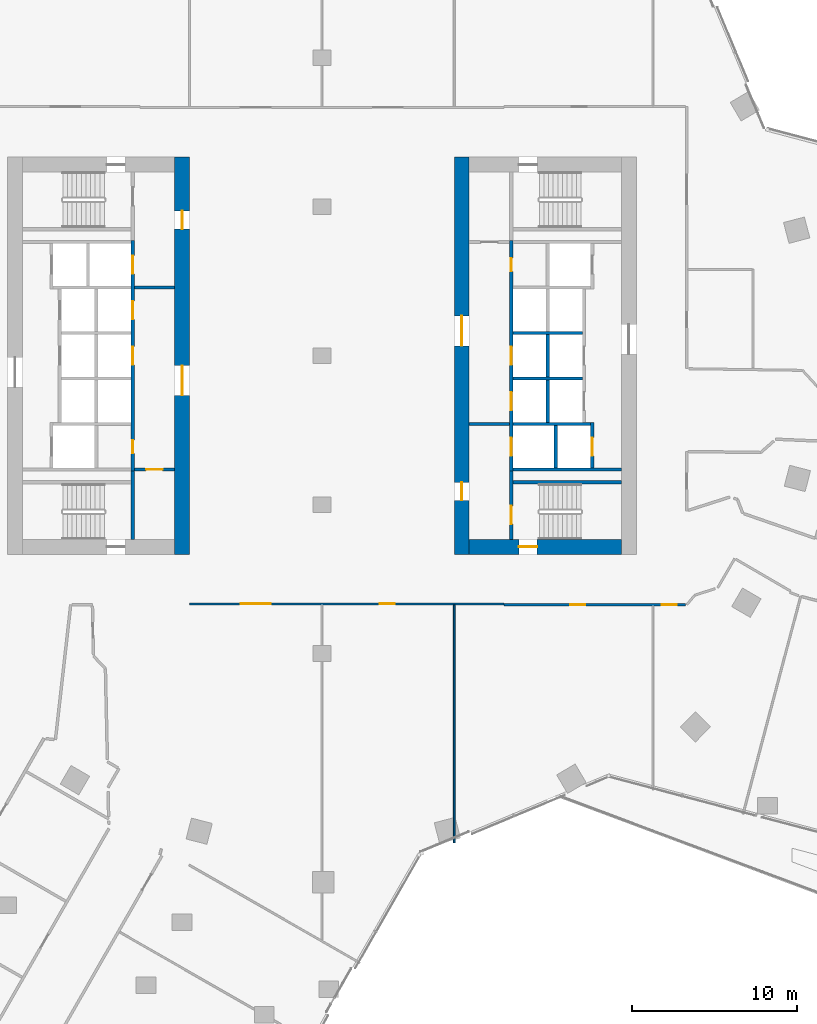
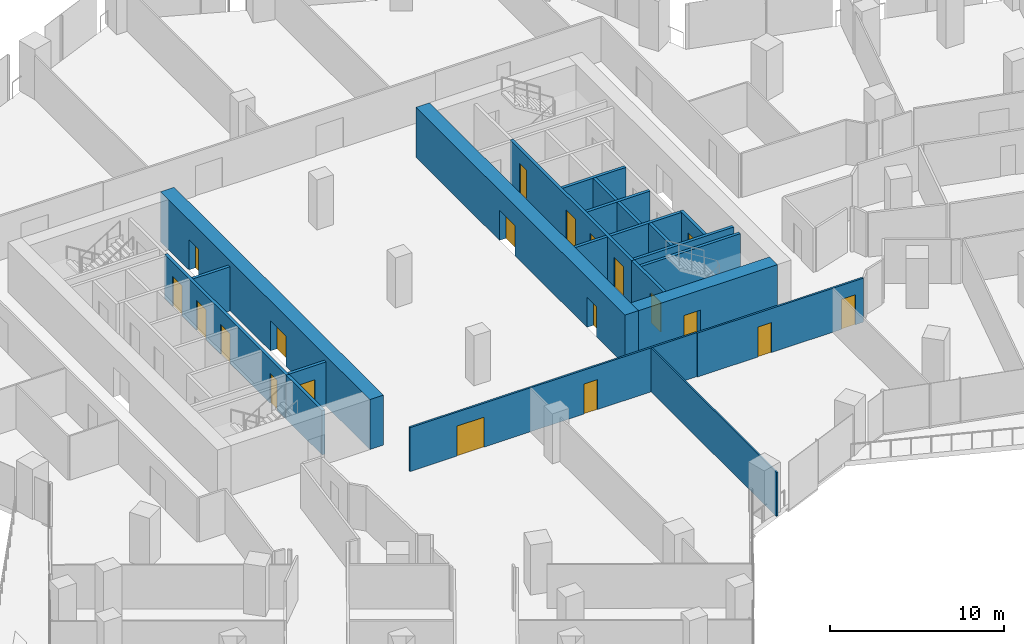
# One storey, part 24 of 34: 22 walls, 20 doors, 20 openings.
"""IFC4 building model written with IfcOpenShell, lengths in metres."""

from ifc_helpers import new_model, si_unit, direction, frame, frame_2d, origin, place, context, subcontext, project, spatial, rectangle, extrude, material, layer, layer_set, type_object, element, fill, save


model = new_model("IFC4")

# Units and contexts
model_context = context("Model", 3, precision=1e-05, world=origin(), true_north=direction((0.0, 1.0)))
body_context = subcontext(model_context, "Body", "Model", "MODEL_VIEW")
ifc_project = project(units=[si_unit("LENGTHUNIT", "METRE"), si_unit("AREAUNIT", "SQUARE_METRE"), si_unit("VOLUMEUNIT", "CUBIC_METRE"), si_unit("PLANEANGLEUNIT", "RADIAN"), si_unit("MASSUNIT", "GRAM", prefix="KILO")], contexts=[model_context])

# Site, building, storey
site_placement = place(None, origin())
site = spatial("IfcSite", under=ifc_project, at=site_placement, CompositionType="ELEMENT")
building_placement = place(site_placement, origin())
building = spatial("IfcBuilding", under=site, at=building_placement, Name="Orlundy Tower", CompositionType="ELEMENT")
storey_placement = place(building_placement, frame((0.0, 0.0, 102.199951171875)))
storey = spatial("IfcBuildingStorey", under=building, at=storey_placement, Name="L25", CompositionType="ELEMENT", Elevation=102.199951171875)

# Wall, openings, doors
ifc_material_1 = material(Name="Concrete C80/95", Category="concrete")
ifc_layer_1 = layer(ifc_material_1, 0.89990234375)
ifc_layer_set_1 = layer_set([ifc_layer_1], Name="CORE WALL 900 C80/95")
wall_type_1 = type_object("IfcWallType", Name="CORE WALL 900 C80/95", PredefinedType="SHEAR", material=ifc_layer_set_1)
wall_1_placement = place(storey_placement, frame((-8.449951171875, -12.0, 0.0), z_axis=(0.0, 0.0, 1.0), x_axis=(0.0, 1.0, 0.0)))
wall_1 = element("IfcWall", 1, at=wall_1_placement, inside=storey, type_object=wall_type_1, Name="Core wall W-E L25", PredefinedType="SHEAR", context=body_context, shape_type="SweptSolid", body=[
    extrude(rectangle(XDim=24.0, YDim=0.89990234375, at=frame_2d((12.0, 0.0))), origin(), (0.0, 0.0, 1.0), 3.5),
])
opening_1_placement = place(wall_1_placement, frame((9.60009765625, 0.0, 0.0)))
opening_1 = element("IfcOpeningElement", 2, at=opening_1_placement, cuts=wall_1, Name="Opening 20009", PredefinedType="OPENING", context=body_context, shape_type="SweptSolid", body=[
    extrude(rectangle(XDim=1.800048828125, YDim=2.10009765625, at=frame_2d((0.89990234375, 1.050048828125))), frame((0.0, 0.4599609375, 0.0), z_axis=(0.0, -1.0, 0.0), x_axis=(1.0, 0.0, 0.0)), (0.0, 0.0, 1.0), 0.919921875),
])
opening_2_placement = place(wall_1_placement, frame((19.64990234375, 0.0, 0.0)))
opening_2 = element("IfcOpeningElement", 3, at=opening_2_placement, cuts=wall_1, Name="Opening 20011", PredefinedType="OPENING", context=body_context, shape_type="SweptSolid", body=[
    extrude(rectangle(XDim=1.10009765625, YDim=2.10009765625, at=frame_2d((0.550048828125, 1.050048828125))), frame((0.0, 0.4599609375, 0.0), z_axis=(0.0, -1.0, 0.0), x_axis=(1.0, 0.0, 0.0)), (0.0, 0.0, 1.0), 0.919921875),
])
ifc_material_2 = material(Name="Steel door set", Category="steel")
door_type_1 = type_object("IfcDoorType", Name="Fire-fighting Lobby Door 1100x2100", OperationType="SINGLE_SWING_LEFT", PredefinedType="DOOR", material=ifc_material_2)
door_1_placement = place(opening_2_placement, origin())
door_1 = element("IfcDoor", 4, at=door_1_placement, inside=storey, type_object=door_type_1, Name="Fire-fighting lobby door 20011", OperationType="SINGLE_SWING_RIGHT", OverallHeight=2.10009765625, OverallWidth=1.10009765625, PredefinedType="DOOR", context=body_context, shape_type="SweptSolid", body=[
    extrude(rectangle(XDim=1.10009765625, YDim=2.10009765625, at=frame_2d((0.550048828125, 1.050048828125))), frame((0.0, 0.02490234375, 0.0), z_axis=(0.0, -1.0, 0.0), x_axis=(1.0, 0.0, 0.0)), (0.0, 0.0, 1.0), 0.050048828125),
])
fill(opening_2, door_1)
ifc_material_3 = material(Name="Timber door set", Category="wood")
door_type_2 = type_object("IfcDoorType", Name="Lobby Door 1800x2100", OperationType="DOUBLE_DOOR_DOUBLE_SWING", PredefinedType="DOOR", material=ifc_material_3)
door_2_placement = place(opening_1_placement, origin())
door_2 = element("IfcDoor", 5, at=door_2_placement, inside=storey, type_object=door_type_2, Name="Lift lobby door 20009", OperationType="SINGLE_SWING_LEFT", OverallHeight=2.10009765625, OverallWidth=1.800048828125, PredefinedType="DOOR", context=body_context, shape_type="SweptSolid", body=[
    extrude(rectangle(XDim=1.800048828125, YDim=2.10009765625, at=frame_2d((0.89990234375, 1.050048828125))), frame((0.0, 0.02490234375, 0.0), z_axis=(0.0, -1.0, 0.0), x_axis=(1.0, 0.0, 0.0)), (0.0, 0.0, 1.0), 0.050048828125),
])
fill(opening_1, door_2)

# Wall, opening, door
wall_2_placement = place(storey_placement, frame((8.89990234375, -11.550048828125, 0.0), z_axis=(0.0, 0.0, 1.0), x_axis=(1.0, 0.0, 0.0)))
wall_2 = element("IfcWall", 6, at=wall_2_placement, inside=storey, type_object=wall_type_1, Name="Core wall E-S L25", PredefinedType="SHEAR", context=body_context, shape_type="SweptSolid", body=[
    extrude(rectangle(XDim=9.2001953125, YDim=0.89990234375, at=frame_2d((4.60009765625, 0.0))), origin(), (0.0, 0.0, 1.0), 3.5),
])
opening_3_placement = place(wall_2_placement, frame((3.0, 0.0, 0.0)))
opening_3 = element("IfcOpeningElement", 7, at=opening_3_placement, cuts=wall_2, Name="Opening 20061", PredefinedType="OPENING", context=body_context, shape_type="SweptSolid", body=[
    extrude(rectangle(XDim=1.10009765625, YDim=2.10009765625, at=frame_2d((0.550048828125, 1.050048828125))), frame((0.0, 0.4599609375, 0.0), z_axis=(0.0, -1.0, 0.0), x_axis=(1.0, 0.0, 0.0)), (0.0, 0.0, 1.0), 0.919921875),
])
ifc_material_4 = material(Name="Steel door set", Category="steel")
door_type_3 = type_object("IfcDoorType", Name="Stair Door 1100x2100", OperationType="SINGLE_SWING_LEFT", PredefinedType="DOOR", material=ifc_material_4)
door_3_placement = place(opening_3_placement, origin())
door_3 = element("IfcDoor", 8, at=door_3_placement, inside=storey, type_object=door_type_3, Name="Stair door 20061", OperationType="SINGLE_SWING_LEFT", OverallHeight=2.10009765625, OverallWidth=1.10009765625, PredefinedType="DOOR", context=body_context, shape_type="SweptSolid", body=[
    extrude(rectangle(XDim=1.10009765625, YDim=2.10009765625, at=frame_2d((0.550048828125, 1.050048828125))), frame((0.0, 0.02490234375, 0.0), z_axis=(0.0, -1.0, 0.0), x_axis=(1.0, 0.0, 0.0)), (0.0, 0.0, 1.0), 0.050048828125),
])
fill(opening_3, door_3)

# Wall, openings, doors
wall_3_placement = place(storey_placement, frame((8.449951171875, -12.0, 0.0), z_axis=(0.0, 0.0, 1.0), x_axis=(0.0, 1.0, 0.0)))
wall_3 = element("IfcWall", 9, at=wall_3_placement, inside=storey, type_object=wall_type_1, Name="Core wall E-W L25", PredefinedType="SHEAR", context=body_context, shape_type="SweptSolid", body=[
    extrude(rectangle(XDim=24.0, YDim=0.89990234375, at=frame_2d((12.0, 0.0))), origin(), (0.0, 0.0, 1.0), 3.5),
])
opening_4_placement = place(wall_3_placement, frame((12.60009765625, 0.0, 0.0)))
opening_4 = element("IfcOpeningElement", 10, at=opening_4_placement, cuts=wall_3, Name="Opening 20058", PredefinedType="OPENING", context=body_context, shape_type="SweptSolid", body=[
    extrude(rectangle(XDim=1.800048828125, YDim=2.10009765625, at=frame_2d((0.89990234375, 1.050048828125))), frame((0.0, 0.4599609375, 0.0), z_axis=(0.0, -1.0, 0.0), x_axis=(1.0, 0.0, 0.0)), (0.0, 0.0, 1.0), 0.919921875),
])
opening_5_placement = place(wall_3_placement, frame((3.25, 0.0, 0.0)))
opening_5 = element("IfcOpeningElement", 11, at=opening_5_placement, cuts=wall_3, Name="Opening 20060", PredefinedType="OPENING", context=body_context, shape_type="SweptSolid", body=[
    extrude(rectangle(XDim=1.10009765625, YDim=2.10009765625, at=frame_2d((0.550048828125, 1.050048828125))), frame((0.0, 0.4599609375, 0.0), z_axis=(0.0, -1.0, 0.0), x_axis=(1.0, 0.0, 0.0)), (0.0, 0.0, 1.0), 0.919921875),
])
door_4_placement = place(opening_5_placement, origin())
door_4 = element("IfcDoor", 12, at=door_4_placement, inside=storey, type_object=door_type_1, Name="Fire-fighting lobby door 20060", OperationType="SINGLE_SWING_LEFT", OverallHeight=2.10009765625, OverallWidth=1.10009765625, PredefinedType="DOOR", context=body_context, shape_type="SweptSolid", body=[
    extrude(rectangle(XDim=1.10009765625, YDim=2.10009765625, at=frame_2d((0.550048828125, 1.050048828125))), frame((0.0, 0.02490234375, 0.0), z_axis=(0.0, -1.0, 0.0), x_axis=(1.0, 0.0, 0.0)), (0.0, 0.0, 1.0), 0.050048828125),
])
fill(opening_5, door_4)
door_5_placement = place(opening_4_placement, origin())
door_5 = element("IfcDoor", 13, at=door_5_placement, inside=storey, type_object=door_type_2, Name="Lift lobby door 20058", OperationType="SINGLE_SWING_RIGHT", OverallHeight=2.10009765625, OverallWidth=1.800048828125, PredefinedType="DOOR", context=body_context, shape_type="SweptSolid", body=[
    extrude(rectangle(XDim=1.800048828125, YDim=2.10009765625, at=frame_2d((0.89990234375, 1.050048828125))), frame((0.0, 0.02490234375, 0.0), z_axis=(0.0, -1.0, 0.0), x_axis=(1.0, 0.0, 0.0)), (0.0, 0.0, 1.0), 0.050048828125),
])
fill(opening_4, door_5)

# Wall
ifc_material_5 = material(Name="Gypsum board partition")
ifc_layer_2 = layer(ifc_material_5, 0.10009765625)
ifc_layer_set_2 = layer_set([ifc_layer_2], Name="Floor partition 100")
wall_type_2 = type_object("IfcWallType", Name="Floor partition 100", PredefinedType="PARTITIONING", material=ifc_layer_set_2)
wall_4_placement = place(storey_placement, frame((8.0, -29.44091796875, 0.0), z_axis=(0.0, 0.0, 1.0), x_axis=(0.0, 1.0, 0.0)))
element("IfcWall", 14, at=wall_4_placement, inside=storey, type_object=wall_type_2, Name="wall-int-L25-090", PredefinedType="PARTITIONING", context=body_context, shape_type="SweptSolid", body=[
    extrude(rectangle(XDim=14.3779296875, YDim=0.10009765625, at=frame_2d((7.18896484375, 0.0))), origin(), (0.0, 0.0, 1.0), 3.080078125),
])

# Wall, openings, doors
ifc_material_6 = material(Name="Gypsum board partition, double layer")
ifc_layer_3 = layer(ifc_material_6, 0.125)
ifc_layer_set_3 = layer_set([ifc_layer_3], Name="Floor partition 125")
wall_type_3 = type_object("IfcWallType", Name="Floor partition 125", PredefinedType="PARTITIONING", material=ifc_layer_set_3)
wall_5_placement = place(storey_placement, frame((21.988037109375, -15.051025390625, 0.0), z_axis=(0.0, 0.0, 1.0), x_axis=(-1.0, 0.0, 0.0)))
wall_5 = element("IfcWall", 15, at=wall_5_placement, inside=storey, type_object=wall_type_3, Name="wall-int-L25-041", PredefinedType="PARTITIONING", context=body_context, shape_type="SweptSolid", body=[
    extrude(rectangle(XDim=10.9970703125, YDim=0.125, at=frame_2d((5.49853515625, 0.0))), origin(), (0.0, 0.0, 1.0), 3.080078125),
])
opening_6_placement = place(wall_5_placement, frame((6.08740234375, 0.0, 0.0)))
opening_6 = element("IfcOpeningElement", 16, at=opening_6_placement, cuts=wall_5, Name="Opening 20125", PredefinedType="OPENING", context=body_context, shape_type="SweptSolid", body=[
    extrude(rectangle(XDim=0.89990234375, YDim=2.10009765625, at=frame_2d((0.449951171875, 1.050048828125))), frame((0.0, 0.072509765625, 0.0), z_axis=(0.0, -1.0, 0.0), x_axis=(1.0, 0.0, 0.0)), (0.0, 0.0, 1.0), 0.14501953125),
])
opening_7_placement = place(wall_5_placement, frame((0.53759765625, 0.0, 0.0)))
opening_7 = element("IfcOpeningElement", 17, at=opening_7_placement, cuts=wall_5, Name="Opening 20126", PredefinedType="OPENING", context=body_context, shape_type="SweptSolid", body=[
    extrude(rectangle(XDim=0.89990234375, YDim=2.10009765625, at=frame_2d((0.449951171875, 1.050048828125))), frame((0.0, 0.072509765625, 0.0), z_axis=(0.0, -1.0, 0.0), x_axis=(1.0, 0.0, 0.0)), (0.0, 0.0, 1.0), 0.14501953125),
])
ifc_material_7 = material(Name="Timber door leaf", Category="wood")
door_type_4 = type_object("IfcDoorType", Name="Floor door single 900 FD30S", OperationType="NOTDEFINED", PredefinedType="DOOR", material=ifc_material_7)
door_6_placement = place(opening_6_placement, origin())
door_6 = element("IfcDoor", 18, at=door_6_placement, inside=storey, type_object=door_type_4, Name="Door 20125", OperationType="SINGLE_SWING_RIGHT", OverallHeight=2.10009765625, OverallWidth=0.89990234375, PredefinedType="DOOR", context=body_context, shape_type="SweptSolid", body=[
    extrude(rectangle(XDim=0.89990234375, YDim=2.10009765625, at=frame_2d((0.449951171875, 1.050048828125))), frame((0.0, 0.02490234375, 0.0), z_axis=(0.0, -1.0, 0.0), x_axis=(1.0, 0.0, 0.0)), (0.0, 0.0, 1.0), 0.050048828125),
])
fill(opening_6, door_6)
door_7_placement = place(opening_7_placement, origin())
door_7 = element("IfcDoor", 19, at=door_7_placement, inside=storey, type_object=door_type_4, Name="Door 20126", OperationType="SINGLE_SWING_LEFT", OverallHeight=2.10009765625, OverallWidth=0.89990234375, PredefinedType="DOOR", context=body_context, shape_type="SweptSolid", body=[
    extrude(rectangle(XDim=0.89990234375, YDim=2.10009765625, at=frame_2d((0.449951171875, 1.050048828125))), frame((0.0, 0.02490234375, 0.0), z_axis=(0.0, -1.0, 0.0), x_axis=(1.0, 0.0, 0.0)), (0.0, 0.0, 1.0), 0.050048828125),
])
fill(opening_7, door_7)

wall_6_placement = place(storey_placement, frame((10.989990234375, -15.0, 0.0), z_axis=(0.0, 0.0, 1.0), x_axis=(-1.0, 0.0, 0.0)))
wall_6 = element("IfcWall", 20, at=wall_6_placement, inside=storey, type_object=wall_type_3, Name="wall-int-L25-042", PredefinedType="PARTITIONING", context=body_context, shape_type="SweptSolid", body=[
    extrude(rectangle(XDim=18.989990234375, YDim=0.125, at=frame_2d((9.4951171875, 0.0))), origin(), (0.0, 0.0, 1.0), 3.080078125),
])
opening_8_placement = place(wall_6_placement, frame((14.090087890625, 0.0, 0.0)))
opening_8 = element("IfcOpeningElement", 21, at=opening_8_placement, cuts=wall_6, Name="Opening 20123", PredefinedType="OPENING", context=body_context, shape_type="SweptSolid", body=[
    extrude(rectangle(XDim=1.800048828125, YDim=2.10009765625, at=frame_2d((0.89990234375, 1.050048828125))), frame((0.0, 0.072509765625, 0.0), z_axis=(0.0, -1.0, 0.0), x_axis=(1.0, 0.0, 0.0)), (0.0, 0.0, 1.0), 0.14501953125),
])
opening_9_placement = place(wall_6_placement, frame((6.590087890625, 0.0, 0.0)))
opening_9 = element("IfcOpeningElement", 22, at=opening_9_placement, cuts=wall_6, Name="Opening 20124", PredefinedType="OPENING", context=body_context, shape_type="SweptSolid", body=[
    extrude(rectangle(XDim=0.89990234375, YDim=2.10009765625, at=frame_2d((0.449951171875, 1.050048828125))), frame((0.0, 0.072509765625, 0.0), z_axis=(0.0, -1.0, 0.0), x_axis=(1.0, 0.0, 0.0)), (0.0, 0.0, 1.0), 0.14501953125),
])
ifc_material_8 = material(Name="Timber door leaf", Category="wood")
door_type_5 = type_object("IfcDoorType", Name="Floor door double 1800 FD30S", OperationType="NOTDEFINED", PredefinedType="DOOR", material=ifc_material_8)
door_8_placement = place(opening_8_placement, origin())
door_8 = element("IfcDoor", 23, at=door_8_placement, inside=storey, type_object=door_type_5, Name="Door 20123", OperationType="DOUBLE_DOOR_SINGLE_SWING", OverallHeight=2.10009765625, OverallWidth=1.800048828125, PredefinedType="DOOR", context=body_context, shape_type="SweptSolid", body=[
    extrude(rectangle(XDim=1.800048828125, YDim=2.10009765625, at=frame_2d((0.89990234375, 1.050048828125))), frame((0.0, 0.02490234375, 0.0), z_axis=(0.0, -1.0, 0.0), x_axis=(1.0, 0.0, 0.0)), (0.0, 0.0, 1.0), 0.050048828125),
])
fill(opening_8, door_8)
door_9_placement = place(opening_9_placement, origin())
door_9 = element("IfcDoor", 24, at=door_9_placement, inside=storey, type_object=door_type_4, Name="Door 20124", OperationType="SINGLE_SWING_LEFT", OverallHeight=2.10009765625, OverallWidth=0.89990234375, PredefinedType="DOOR", context=body_context, shape_type="SweptSolid", body=[
    extrude(rectangle(XDim=0.89990234375, YDim=2.10009765625, at=frame_2d((0.449951171875, 1.050048828125))), frame((0.0, 0.02490234375, 0.0), z_axis=(0.0, -1.0, 0.0), x_axis=(1.0, 0.0, 0.0)), (0.0, 0.0, 1.0), 0.050048828125),
])
fill(opening_9, door_9)

# Wall
ifc_material_9 = material(Name="Concrete C40/50", Category="concrete")
ifc_layer_4 = layer(ifc_material_9, 0.199951171875)
ifc_layer_set_4 = layer_set([ifc_layer_4], Name="Load-bearing Shaft Wall 200")
wall_type_4 = type_object("IfcWallType", Name="Load-bearing Shaft Wall 200", PredefinedType="SOLIDWALL", material=ifc_layer_set_4)
wall_7_placement = place(storey_placement, frame((-11.43994140625, -11.10009765625, 0.0), z_axis=(0.0, 0.0, 1.0), x_axis=(0.0, 1.0, 0.0)))
element("IfcWall", 25, at=wall_7_placement, inside=storey, type_object=wall_type_4, Name="Shaft wall W20-stair-end-s", PredefinedType="SOLIDWALL", context=body_context, shape_type="SweptSolid", body=[
    extrude(rectangle(XDim=4.125, YDim=0.199951171875, at=frame_2d((2.0625, 0.0))), origin(), (0.0, 0.0, 1.0), 3.090087890625),
])

# Wall, opening, door
wall_8_placement = place(storey_placement, frame((11.43994140625, -6.97509765625, 0.0), z_axis=(0.0, 0.0, 1.0), x_axis=(0.0, -1.0, 0.0)))
wall_8 = element("IfcWall", 26, at=wall_8_placement, inside=storey, type_object=wall_type_4, Name="Shaft wall E20-stair-end-n", PredefinedType="SOLIDWALL", context=body_context, shape_type="SweptSolid", body=[
    extrude(rectangle(XDim=4.125, YDim=0.199951171875, at=frame_2d((2.0625, 0.0))), origin(), (0.0, 0.0, 1.0), 3.090087890625),
])
opening_10_placement = place(wall_8_placement, frame((2.10009765625, 0.0, 0.0)))
opening_10 = element("IfcOpeningElement", 27, at=opening_10_placement, cuts=wall_8, Name="Opening 20063", PredefinedType="OPENING", context=body_context, shape_type="SweptSolid", body=[
    extrude(rectangle(XDim=1.10009765625, YDim=2.10009765625, at=frame_2d((0.550048828125, 1.050048828125))), frame((0.0, 0.110107421875, 0.0), z_axis=(0.0, -1.0, 0.0), x_axis=(1.0, 0.0, 0.0)), (0.0, 0.0, 1.0), 0.22021484375),
])
door_10_placement = place(opening_10_placement, origin())
door_10 = element("IfcDoor", 28, at=door_10_placement, inside=storey, type_object=door_type_1, Name="Fire-fighting lobby to stair door 20063", OperationType="SINGLE_SWING_RIGHT", OverallHeight=2.10009765625, OverallWidth=1.10009765625, PredefinedType="DOOR", context=body_context, shape_type="SweptSolid", body=[
    extrude(rectangle(XDim=1.10009765625, YDim=2.10009765625, at=frame_2d((0.550048828125, 1.050048828125))), frame((0.0, 0.02490234375, 0.0), z_axis=(0.0, -1.0, 0.0), x_axis=(1.0, 0.0, 0.0)), (0.0, 0.0, 1.0), 0.050048828125),
])
fill(opening_10, door_10)

# Walls
wall_9_placement = place(storey_placement, frame((11.5400390625, -7.64990234375, 0.0), z_axis=(0.0, 0.0, 1.0), x_axis=(1.0, 0.0, 0.0)))
element("IfcWall", 29, at=wall_9_placement, inside=storey, type_object=wall_type_4, Name="Shaft wall E20-stair-side-n", PredefinedType="SOLIDWALL", context=body_context, shape_type="SweptSolid", body=[
    extrude(rectangle(XDim=6.56005859375, YDim=0.199951171875, at=frame_2d((3.280029296875, 0.0))), origin(), (0.0, 0.0, 1.0), 3.090087890625),
])
ifc_material_10 = material(Name="Gypsum board partition on steel studs", Category="steel")
ifc_layer_5 = layer(ifc_material_10, 0.199951171875)
ifc_layer_set_5 = layer_set([ifc_layer_5], Name="Partition 200")
wall_type_5 = type_object("IfcWallType", Name="Partition 200", PredefinedType="PARTITIONING", material=ifc_layer_set_5)
wall_10_placement = place(storey_placement, frame((-8.89990234375, 4.125, 0.0), z_axis=(0.0, 0.0, 1.0), x_axis=(-1.0, 0.0, 0.0)))
element("IfcWall", 30, at=wall_10_placement, inside=storey, type_object=wall_type_5, Name="Partition wall W20-lobby-n", PredefinedType="PARTITIONING", context=body_context, shape_type="SweptSolid", body=[
    extrude(rectangle(XDim=2.440185546875, YDim=0.199951171875, at=frame_2d((1.22021484375, 0.0))), origin(), (0.0, 0.0, 1.0), 3.090087890625),
])

# Wall, opening, door
wall_11_placement = place(storey_placement, frame((-8.89990234375, -6.875, 0.0), z_axis=(0.0, 0.0, 1.0), x_axis=(-1.0, 0.0, 0.0)))
wall_11 = element("IfcWall", 31, at=wall_11_placement, inside=storey, type_object=wall_type_5, Name="Partition wall W20-end-s", PredefinedType="PARTITIONING", context=body_context, shape_type="SweptSolid", body=[
    extrude(rectangle(XDim=2.440185546875, YDim=0.199951171875, at=frame_2d((1.22021484375, 0.0))), origin(), (0.0, 0.0, 1.0), 3.090087890625),
])
opening_11_placement = place(wall_11_placement, frame((0.719970703125, 0.0, 0.0)))
opening_11 = element("IfcOpeningElement", 32, at=opening_11_placement, cuts=wall_11, Name="Opening 20015", PredefinedType="OPENING", context=body_context, shape_type="SweptSolid", body=[
    extrude(rectangle(XDim=1.0, YDim=2.10009765625, at=frame_2d((0.5, 1.050048828125))), frame((0.0, 0.110107421875, 0.0), z_axis=(0.0, -1.0, 0.0), x_axis=(1.0, 0.0, 0.0)), (0.0, 0.0, 1.0), 0.22021484375),
])
ifc_material_11 = material(Name="Timber door set", Category="wood")
door_type_6 = type_object("IfcDoorType", Name="Accessible Door 1000x2100", OperationType="SINGLE_SWING_LEFT", PredefinedType="DOOR", material=ifc_material_11)
door_11_placement = place(opening_11_placement, origin())
door_11 = element("IfcDoor", 33, at=door_11_placement, inside=storey, type_object=door_type_6, Name="Accessible WC door 20015", OperationType="SINGLE_SWING_RIGHT", OverallHeight=2.10009765625, OverallWidth=1.0, PredefinedType="DOOR", context=body_context, shape_type="SweptSolid", body=[
    extrude(rectangle(XDim=1.0, YDim=2.10009765625, at=frame_2d((0.5, 1.050048828125))), frame((0.0, 0.02490234375, 0.0), z_axis=(0.0, -1.0, 0.0), x_axis=(1.0, 0.0, 0.0)), (0.0, 0.0, 1.0), 0.050048828125),
])
fill(opening_11, door_11)

# Wall
wall_12_placement = place(storey_placement, frame((8.89990234375, -4.125, 0.0), z_axis=(0.0, 0.0, 1.0), x_axis=(1.0, 0.0, 0.0)))
element("IfcWall", 34, at=wall_12_placement, inside=storey, type_object=wall_type_5, Name="Partition wall E20-lobby-n", PredefinedType="PARTITIONING", context=body_context, shape_type="SweptSolid", body=[
    extrude(rectangle(XDim=2.440185546875, YDim=0.199951171875, at=frame_2d((1.22021484375, 0.0))), origin(), (0.0, 0.0, 1.0), 3.090087890625),
])

# Wall, openings, doors
ifc_material_12 = material(Name="Fire-rated blockwork shaft wall", Category="masonry")
ifc_layer_6 = layer(ifc_material_12, 0.199951171875)
ifc_layer_set_6 = layer_set([ifc_layer_6], Name="Shaft Wall 200")
wall_type_6 = type_object("IfcWallType", Name="Shaft Wall 200", PredefinedType="SOLIDWALL", material=ifc_layer_set_6)
wall_13_placement = place(storey_placement, frame((-11.43994140625, -6.97509765625, 0.0), z_axis=(0.0, 0.0, 1.0), x_axis=(0.0, 1.0, 0.0)))
wall_13 = element("IfcWall", 35, at=wall_13_placement, inside=storey, type_object=wall_type_6, Name="Shaft wall W20-front-h", PredefinedType="SOLIDWALL", context=body_context, shape_type="SweptSolid", body=[
    extrude(rectangle(XDim=13.9501953125, YDim=0.199951171875, at=frame_2d((6.97509765625, 0.0))), origin(), (0.0, 0.0, 1.0), 3.090087890625),
])
opening_12_placement = place(wall_13_placement, frame((6.425048828125, 0.0, 0.0)))
opening_12 = element("IfcOpeningElement", 36, at=opening_12_placement, cuts=wall_13, Name="Opening 20002", PredefinedType="OPENING", context=body_context, shape_type="SweptSolid", body=[
    extrude(rectangle(XDim=1.10009765625, YDim=2.10009765625, at=frame_2d((0.550048828125, 1.050048828125))), frame((0.0, 0.110107421875, 0.0), z_axis=(0.0, -1.0, 0.0), x_axis=(1.0, 0.0, 0.0)), (0.0, 0.0, 1.0), 0.22021484375),
])
opening_13_placement = place(wall_13_placement, frame((9.175048828125, 0.0, 0.0)))
opening_13 = element("IfcOpeningElement", 37, at=opening_13_placement, cuts=wall_13, Name="Opening 20004", PredefinedType="OPENING", context=body_context, shape_type="SweptSolid", body=[
    extrude(rectangle(XDim=1.10009765625, YDim=2.10009765625, at=frame_2d((0.550048828125, 1.050048828125))), frame((0.0, 0.110107421875, 0.0), z_axis=(0.0, -1.0, 0.0), x_axis=(1.0, 0.0, 0.0)), (0.0, 0.0, 1.0), 0.22021484375),
])
opening_14_placement = place(wall_13_placement, frame((11.925048828125, 0.0, 0.0)))
opening_14 = element("IfcOpeningElement", 38, at=opening_14_placement, cuts=wall_13, Name="Opening 20006", PredefinedType="OPENING", context=body_context, shape_type="SweptSolid", body=[
    extrude(rectangle(XDim=1.10009765625, YDim=2.10009765625, at=frame_2d((0.550048828125, 1.050048828125))), frame((0.0, 0.110107421875, 0.0), z_axis=(0.0, -1.0, 0.0), x_axis=(1.0, 0.0, 0.0)), (0.0, 0.0, 1.0), 0.22021484375),
])
opening_15_placement = place(wall_13_placement, frame((1.074951171875, 0.0, 0.0)))
opening_15 = element("IfcOpeningElement", 39, at=opening_15_placement, cuts=wall_13, Name="Opening 20008", PredefinedType="OPENING", context=body_context, shape_type="SweptSolid", body=[
    extrude(rectangle(XDim=0.800048828125, YDim=2.10009765625, at=frame_2d((0.39990234375, 1.050048828125))), frame((0.0, 0.110107421875, 0.0), z_axis=(0.0, -1.0, 0.0), x_axis=(1.0, 0.0, 0.0)), (0.0, 0.0, 1.0), 0.22021484375),
])
ifc_material_13 = material(Name="Steel door set", Category="steel")
door_type_7 = type_object("IfcDoorType", Name="Landing Door 1100x2100", OperationType="DOUBLE_DOOR_SLIDING", PredefinedType="DOOR", material=ifc_material_13)
door_12_placement = place(opening_12_placement, origin())
door_12 = element("IfcDoor", 40, at=door_12_placement, inside=storey, type_object=door_type_7, Name="Lift landing door LP-05 20002", OperationType="DOUBLE_DOOR_SLIDING", OverallHeight=2.10009765625, OverallWidth=1.10009765625, PredefinedType="DOOR", context=body_context, shape_type="SweptSolid", body=[
    extrude(rectangle(XDim=1.10009765625, YDim=2.10009765625, at=frame_2d((0.550048828125, 1.050048828125))), frame((0.0, 0.02490234375, 0.0), z_axis=(0.0, -1.0, 0.0), x_axis=(1.0, 0.0, 0.0)), (0.0, 0.0, 1.0), 0.050048828125),
])
fill(opening_12, door_12)
door_13_placement = place(opening_13_placement, origin())
door_13 = element("IfcDoor", 41, at=door_13_placement, inside=storey, type_object=door_type_7, Name="Lift landing door LP-02 20004", OperationType="DOUBLE_DOOR_SLIDING", OverallHeight=2.10009765625, OverallWidth=1.10009765625, PredefinedType="DOOR", context=body_context, shape_type="SweptSolid", body=[
    extrude(rectangle(XDim=1.10009765625, YDim=2.10009765625, at=frame_2d((0.550048828125, 1.050048828125))), frame((0.0, 0.02490234375, 0.0), z_axis=(0.0, -1.0, 0.0), x_axis=(1.0, 0.0, 0.0)), (0.0, 0.0, 1.0), 0.050048828125),
])
fill(opening_13, door_13)
door_14_placement = place(opening_14_placement, origin())
door_14 = element("IfcDoor", 42, at=door_14_placement, inside=storey, type_object=door_type_7, Name="Lift landing door FL1 20006", OperationType="DOUBLE_DOOR_SLIDING", OverallHeight=2.10009765625, OverallWidth=1.10009765625, PredefinedType="DOOR", context=body_context, shape_type="SweptSolid", body=[
    extrude(rectangle(XDim=1.10009765625, YDim=2.10009765625, at=frame_2d((0.550048828125, 1.050048828125))), frame((0.0, 0.02490234375, 0.0), z_axis=(0.0, -1.0, 0.0), x_axis=(1.0, 0.0, 0.0)), (0.0, 0.0, 1.0), 0.050048828125),
])
fill(opening_14, door_14)
ifc_material_14 = material(Name="Timber door set", Category="wood")
door_type_8 = type_object("IfcDoorType", Name="Riser Door 800x2100", OperationType="SINGLE_SWING_LEFT", PredefinedType="DOOR", material=ifc_material_14)
door_15_placement = place(opening_15_placement, origin())
door_15 = element("IfcDoor", 43, at=door_15_placement, inside=storey, type_object=door_type_8, Name="Telecom Room door 20008", OperationType="SINGLE_SWING_LEFT", OverallHeight=2.10009765625, OverallWidth=0.800048828125, PredefinedType="DOOR", context=body_context, shape_type="SweptSolid", body=[
    extrude(rectangle(XDim=0.800048828125, YDim=2.10009765625, at=frame_2d((0.39990234375, 1.050048828125))), frame((0.0, 0.02490234375, 0.0), z_axis=(0.0, -1.0, 0.0), x_axis=(1.0, 0.0, 0.0)), (0.0, 0.0, 1.0), 0.050048828125),
])
fill(opening_15, door_15)

# Walls
wall_14_placement = place(storey_placement, frame((11.5400390625, -6.875, 0.0), z_axis=(0.0, 0.0, 1.0), x_axis=(1.0, 0.0, 0.0)))
element("IfcWall", 44, at=wall_14_placement, inside=storey, type_object=wall_type_6, Name="Shaft wall E20-zone-n", PredefinedType="SOLIDWALL", context=body_context, shape_type="SweptSolid", body=[
    extrude(rectangle(XDim=6.56005859375, YDim=0.199951171875, at=frame_2d((3.280029296875, 0.0))), origin(), (0.0, 0.0, 1.0), 3.090087890625),
])
for number, where, z_axis, x_axis, name in (
    (45, (11.5400390625, 1.375, 0.0), (0.0, 0.0, 1.0), (1.0, 0.0, 0.0), "Shaft wall E20-cross-1.375"),
    (46, (11.5400390625, -1.375, 0.0), (0.0, 0.0, 1.0), (1.0, 0.0, 0.0), "Shaft wall E20-cross+1.375"),
):
    element("IfcWall", number, at=place(storey_placement, frame(where, z_axis=z_axis, x_axis=x_axis)), inside=storey, type_object=wall_type_6, Name=name, PredefinedType="SOLIDWALL", context=body_context, shape_type="SweptSolid", body=[
        extrude(rectangle(XDim=4.199951171875, YDim=0.199951171875, at=frame_2d((2.10009765625, 0.0))), origin(), (0.0, 0.0, 1.0), 3.090087890625),
    ])
wall_15_placement = place(storey_placement, frame((11.5400390625, -4.125, 0.0), z_axis=(0.0, 0.0, 1.0), x_axis=(1.0, 0.0, 0.0)))
element("IfcWall", 47, at=wall_15_placement, inside=storey, type_object=wall_type_6, Name="Shaft wall E20-cross+4.125", PredefinedType="SOLIDWALL", context=body_context, shape_type="SweptSolid", body=[
    extrude(rectangle(XDim=4.699951171875, YDim=0.199951171875, at=frame_2d((2.35009765625, 0.0))), origin(), (0.0, 0.0, 1.0), 3.090087890625),
])

# Wall, openings, doors
wall_16_placement = place(storey_placement, frame((11.43994140625, 6.97509765625, 0.0), z_axis=(0.0, 0.0, 1.0), x_axis=(0.0, -1.0, 0.0)))
wall_16 = element("IfcWall", 48, at=wall_16_placement, inside=storey, type_object=wall_type_6, Name="Shaft wall E20-front-h", PredefinedType="SOLIDWALL", context=body_context, shape_type="SweptSolid", body=[
    extrude(rectangle(XDim=13.9501953125, YDim=0.199951171875, at=frame_2d((6.97509765625, 0.0))), origin(), (0.0, 0.0, 1.0), 3.090087890625),
])
opening_16_placement = place(wall_16_placement, frame((6.425048828125, 0.0, 0.0)))
opening_16 = element("IfcOpeningElement", 49, at=opening_16_placement, cuts=wall_16, Name="Opening 20051", PredefinedType="OPENING", context=body_context, shape_type="SweptSolid", body=[
    extrude(rectangle(XDim=1.10009765625, YDim=2.10009765625, at=frame_2d((0.550048828125, 1.050048828125))), frame((0.0, 0.110107421875, 0.0), z_axis=(0.0, -1.0, 0.0), x_axis=(1.0, 0.0, 0.0)), (0.0, 0.0, 1.0), 0.22021484375),
])
opening_17_placement = place(wall_16_placement, frame((9.175048828125, 0.0, 0.0)))
opening_17 = element("IfcOpeningElement", 50, at=opening_17_placement, cuts=wall_16, Name="Opening 20053", PredefinedType="OPENING", context=body_context, shape_type="SweptSolid", body=[
    extrude(rectangle(XDim=1.10009765625, YDim=2.10009765625, at=frame_2d((0.550048828125, 1.050048828125))), frame((0.0, 0.110107421875, 0.0), z_axis=(0.0, -1.0, 0.0), x_axis=(1.0, 0.0, 0.0)), (0.0, 0.0, 1.0), 0.22021484375),
])
opening_18_placement = place(wall_16_placement, frame((11.925048828125, 0.0, 0.0)))
opening_18 = element("IfcOpeningElement", 51, at=opening_18_placement, cuts=wall_16, Name="Opening 20055", PredefinedType="OPENING", context=body_context, shape_type="SweptSolid", body=[
    extrude(rectangle(XDim=1.10009765625, YDim=2.10009765625, at=frame_2d((0.550048828125, 1.050048828125))), frame((0.0, 0.110107421875, 0.0), z_axis=(0.0, -1.0, 0.0), x_axis=(1.0, 0.0, 0.0)), (0.0, 0.0, 1.0), 0.22021484375),
])
opening_19_placement = place(wall_16_placement, frame((1.074951171875, 0.0, 0.0)))
opening_19 = element("IfcOpeningElement", 52, at=opening_19_placement, cuts=wall_16, Name="Opening 20057", PredefinedType="OPENING", context=body_context, shape_type="SweptSolid", body=[
    extrude(rectangle(XDim=0.800048828125, YDim=2.10009765625, at=frame_2d((0.39990234375, 1.050048828125))), frame((0.0, 0.110107421875, 0.0), z_axis=(0.0, -1.0, 0.0), x_axis=(1.0, 0.0, 0.0)), (0.0, 0.0, 1.0), 0.22021484375),
])
door_16_placement = place(opening_16_placement, origin())
door_16 = element("IfcDoor", 53, at=door_16_placement, inside=storey, type_object=door_type_7, Name="Lift landing door LP-10 20051", OperationType="DOUBLE_DOOR_SLIDING", OverallHeight=2.10009765625, OverallWidth=1.10009765625, PredefinedType="DOOR", context=body_context, shape_type="SweptSolid", body=[
    extrude(rectangle(XDim=1.10009765625, YDim=2.10009765625, at=frame_2d((0.550048828125, 1.050048828125))), frame((0.0, 0.02490234375, 0.0), z_axis=(0.0, -1.0, 0.0), x_axis=(1.0, 0.0, 0.0)), (0.0, 0.0, 1.0), 0.050048828125),
])
fill(opening_16, door_16)
door_17_placement = place(opening_17_placement, origin())
door_17 = element("IfcDoor", 54, at=door_17_placement, inside=storey, type_object=door_type_7, Name="Lift landing door LP-07 20053", OperationType="DOUBLE_DOOR_SLIDING", OverallHeight=2.10009765625, OverallWidth=1.10009765625, PredefinedType="DOOR", context=body_context, shape_type="SweptSolid", body=[
    extrude(rectangle(XDim=1.10009765625, YDim=2.10009765625, at=frame_2d((0.550048828125, 1.050048828125))), frame((0.0, 0.02490234375, 0.0), z_axis=(0.0, -1.0, 0.0), x_axis=(1.0, 0.0, 0.0)), (0.0, 0.0, 1.0), 0.050048828125),
])
fill(opening_17, door_17)
door_18_placement = place(opening_18_placement, origin())
door_18 = element("IfcDoor", 55, at=door_18_placement, inside=storey, type_object=door_type_7, Name="Lift landing door FL2 20055", OperationType="DOUBLE_DOOR_SLIDING", OverallHeight=2.10009765625, OverallWidth=1.10009765625, PredefinedType="DOOR", context=body_context, shape_type="SweptSolid", body=[
    extrude(rectangle(XDim=1.10009765625, YDim=2.10009765625, at=frame_2d((0.550048828125, 1.050048828125))), frame((0.0, 0.02490234375, 0.0), z_axis=(0.0, -1.0, 0.0), x_axis=(1.0, 0.0, 0.0)), (0.0, 0.0, 1.0), 0.050048828125),
])
fill(opening_18, door_18)
door_19_placement = place(opening_19_placement, origin())
door_19 = element("IfcDoor", 56, at=door_19_placement, inside=storey, type_object=door_type_8, Name="Telecom Room door 20057", OperationType="SINGLE_SWING_LEFT", OverallHeight=2.10009765625, OverallWidth=0.800048828125, PredefinedType="DOOR", context=body_context, shape_type="SweptSolid", body=[
    extrude(rectangle(XDim=0.800048828125, YDim=2.10009765625, at=frame_2d((0.39990234375, 1.050048828125))), frame((0.0, 0.02490234375, 0.0), z_axis=(0.0, -1.0, 0.0), x_axis=(1.0, 0.0, 0.0)), (0.0, 0.0, 1.0), 0.050048828125),
])
fill(opening_19, door_19)

# Walls
for number, where, z_axis, x_axis, name in (
    (57, (13.639892578125, 1.27490234375, 0.0), (0.0, 0.0, 1.0), (0.0, -1.0, 0.0), "Shaft wall E20-mid-a.2"),
    (58, (13.639892578125, -1.47509765625, 0.0), (0.0, 0.0, 1.0), (0.0, -1.0, 0.0), "Shaft wall E20-mid-a.3"),
    (59, (14.139892578125, -4.22509765625, 0.0), (0.0, 0.0, 1.0), (0.0, -1.0, 0.0), "Shaft wall E20-mid-b"),
):
    element("IfcWall", number, at=place(storey_placement, frame(where, z_axis=z_axis, x_axis=x_axis)), inside=storey, type_object=wall_type_6, Name=name, PredefinedType="SOLIDWALL", context=body_context, shape_type="SweptSolid", body=[
        extrude(rectangle(XDim=2.5498046875, YDim=0.199951171875, at=frame_2d((1.27490234375, 0.0))), origin(), (0.0, 0.0, 1.0), 3.090087890625),
    ])

# Wall, opening, door
wall_17_placement = place(storey_placement, frame((16.340087890625, -4.02490234375, 0.0), z_axis=(0.0, 0.0, 1.0), x_axis=(0.0, -1.0, 0.0)))
wall_17 = element("IfcWall", 60, at=wall_17_placement, inside=storey, type_object=wall_type_6, Name="Shaft wall E20-front-o-c", PredefinedType="SOLIDWALL", context=body_context, shape_type="SweptSolid", body=[
    extrude(rectangle(XDim=2.75, YDim=0.199951171875, at=frame_2d((1.375, 0.0))), origin(), (0.0, 0.0, 1.0), 3.090087890625),
])
opening_20_placement = place(wall_17_placement, frame((0.925048828125, 0.0, 0.0)))
opening_20 = element("IfcOpeningElement", 61, at=opening_20_placement, cuts=wall_17, Name="Opening 20056", PredefinedType="OPENING", context=body_context, shape_type="SweptSolid", body=[
    extrude(rectangle(XDim=1.10009765625, YDim=2.10009765625, at=frame_2d((0.550048828125, 1.050048828125))), frame((0.0, 0.110107421875, 0.0), z_axis=(0.0, -1.0, 0.0), x_axis=(1.0, 0.0, 0.0)), (0.0, 0.0, 1.0), 0.22021484375),
])
door_20_placement = place(opening_20_placement, origin())
door_20 = element("IfcDoor", 62, at=door_20_placement, inside=storey, type_object=door_type_7, Name="Lift landing door LP-09 20056", OperationType="DOUBLE_DOOR_SLIDING", OverallHeight=2.10009765625, OverallWidth=1.10009765625, PredefinedType="DOOR", context=body_context, shape_type="SweptSolid", body=[
    extrude(rectangle(XDim=1.10009765625, YDim=2.10009765625, at=frame_2d((0.550048828125, 1.050048828125))), frame((0.0, 0.02490234375, 0.0), z_axis=(0.0, -1.0, 0.0), x_axis=(1.0, 0.0, 0.0)), (0.0, 0.0, 1.0), 0.050048828125),
])
fill(opening_20, door_20)

save(model, "model.ifc")
